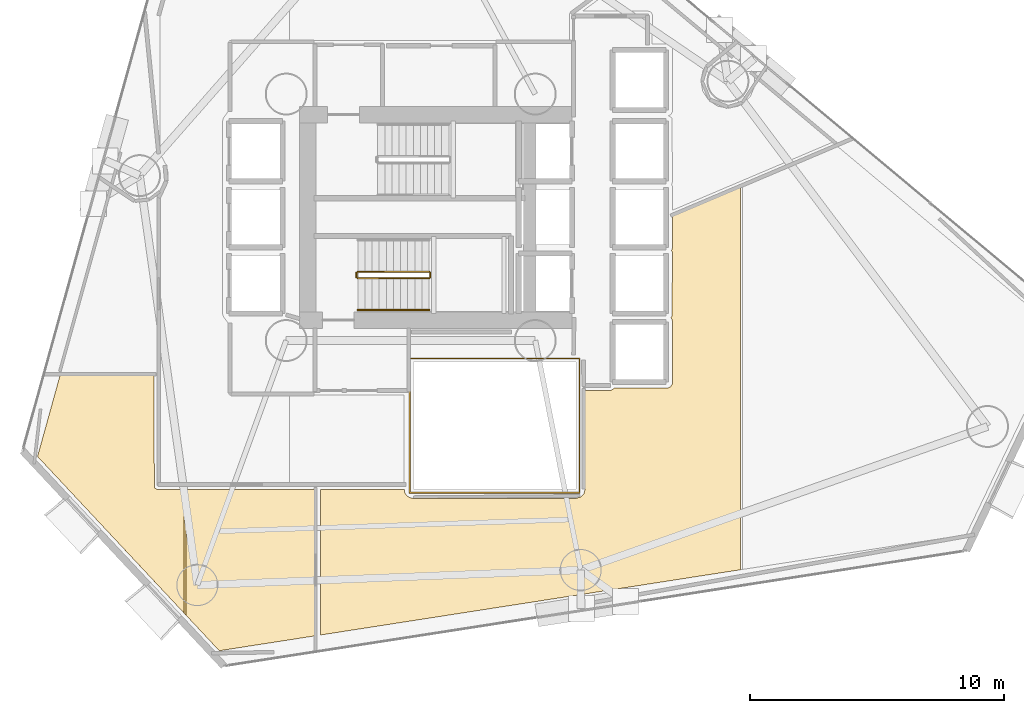
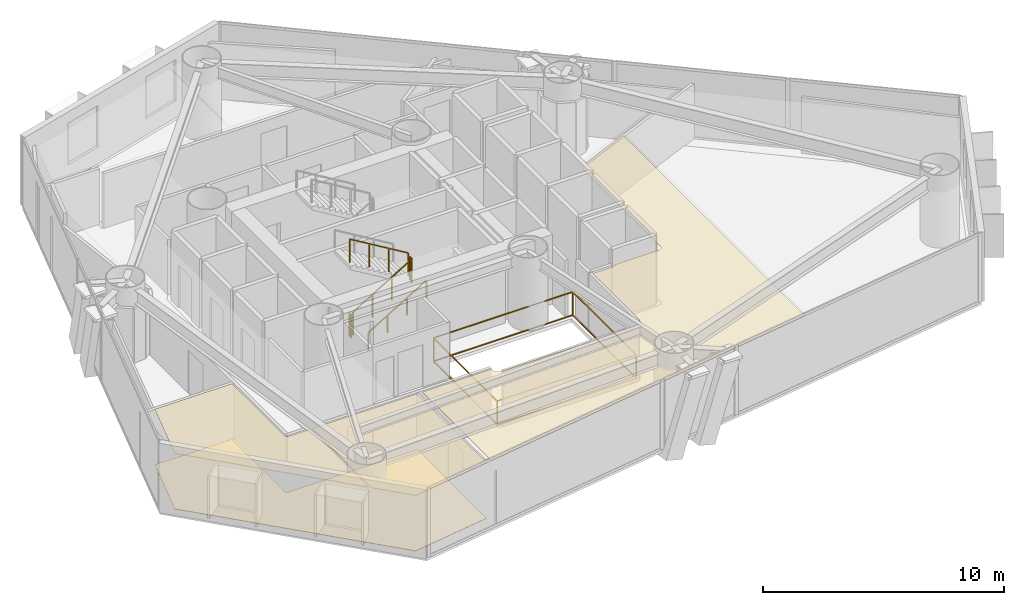
# One storey, part 20 of 23: 6 railings, 4 coverings.
"""IFC4 building model written with IfcOpenShell, lengths in metres."""

from ifc_helpers import new_model, si_unit, direction, frame, origin, origin_2d, place, context, subcontext, project, spatial, polyline, rectangle, outline, extrude, material, layer, layer_set, type_object, element, save


model = new_model("IFC4")

# Units and contexts
model_context = context("Model", 3, precision=1e-05, world=origin(), true_north=direction((0.0, 1.0)))
body_context = subcontext(model_context, "Body", "Model", "MODEL_VIEW")
ifc_project = project(units=[si_unit("LENGTHUNIT", "METRE"), si_unit("AREAUNIT", "SQUARE_METRE"), si_unit("VOLUMEUNIT", "CUBIC_METRE"), si_unit("PLANEANGLEUNIT", "RADIAN"), si_unit("MASSUNIT", "GRAM", prefix="KILO")], contexts=[model_context])

# Site, building, storey
site_placement = place(None, origin())
site = spatial("IfcSite", under=ifc_project, at=site_placement, CompositionType="ELEMENT")
building_placement = place(site_placement, origin())
building = spatial("IfcBuilding", under=site, at=building_placement, Name="Qianvela Tower", CompositionType="ELEMENT")
storey_placement = place(building_placement, frame((0.0, 0.0, 78.39990234375)))
storey = spatial("IfcBuildingStorey", under=building, at=storey_placement, Name="L19", CompositionType="ELEMENT", Elevation=78.39990234375)

# Coverings
ifc_material_1 = material(Name="Perforated Mineral Acoustic Ceiling Tile")
ifc_layer_1 = layer(ifc_material_1, 0.02490234375)
ifc_layer_set_1 = layer_set([ifc_layer_1], Name="Perforated Mineral Acoustic Ceiling Tile")
covering_type_1 = type_object("IfcCoveringType", Name="COV-CEIL-ACOUSTIC-25", PredefinedType="CEILING", material=ifc_layer_set_1)
covering_1_placement = place(storey_placement, frame((0.0, 0.0, 2.815185546875)))
element("IfcCovering", 1, at=covering_1_placement, inside=storey, type_object=covering_type_1, Name="L19 Acoustic Ceiling Bay 1 Project Huddle Conference L19-01", PredefinedType="CEILING", context=body_context, shape_type="SweptSolid", body=[
    extrude(outline(polyline([(23.52392578125, 17.994384765625), (23.532470703125, 17.991943359375), (23.541259765625, 17.990478515625), (23.550048828125, 17.989990234375), (24.57861328125, 17.989990234375), (24.57861328125, 13.12451171875), (18.8134765625, 19.28662109375), (19.69921875, 22.475341796875), (23.401123046875, 22.475341796875), (23.408203125, 18.09912109375), (23.40869140625, 18.0908203125), (23.409912109375, 18.082763671875), (23.411865234375, 18.074951171875), (23.414794921875, 18.067138671875), (23.41845703125, 18.059814453125), (23.4228515625, 18.052978515625), (23.427978515625, 18.046630859375), (23.43359375, 18.040771484375), (23.43994140625, 18.035400390625), (23.44677734375, 18.03076171875), (23.4541015625, 18.02685546875), (23.515869140625, 17.997802734375), (23.52392578125, 17.994384765625)])), origin(), (0.0, 0.0, 1.0), 0.02490234375),
])
covering_2_placement = place(storey_placement, frame((0.0, 0.0, 2.815185546875)))
element("IfcCovering", 2, at=covering_2_placement, inside=storey, type_object=covering_type_1, Name="L19 Acoustic Ceiling Bay 2 Project Huddle Conference L19-01", PredefinedType="CEILING", context=body_context, shape_type="SweptSolid", body=[
    extrude(outline(polyline([(29.704833984375, 17.989990234375), (29.704833984375, 12.222900390625), (25.965576171875, 11.641845703125), (24.65869140625, 13.038818359375), (24.65869140625, 17.989990234375), (29.704833984375, 17.989990234375)])), origin(), (0.0, 0.0, 1.0), 0.02490234375),
])
covering_3_placement = place(storey_placement, frame((0.0, 0.0, 2.815185546875)))
element("IfcCovering", 3, at=covering_3_placement, inside=storey, type_object=covering_type_1, Name="L19 Acoustic Ceiling Bay 1 Debate Lecture Classroom L19-02", PredefinedType="CEILING", context=body_context, shape_type="SweptSolid", body=[
    extrude(outline(polyline([(33.252197265625, 17.912353515625), (33.25341796875, 17.904296875), (33.25537109375, 17.896240234375), (33.258056640625, 17.888427734375), (33.261474609375, 17.881103515625), (33.31298828125, 17.78466796875), (33.31689453125, 17.77783203125), (33.32177734375, 17.771484375), (33.326904296875, 17.765869140625), (33.332763671875, 17.760498046875), (33.417236328125, 17.691162109375), (33.42431640625, 17.68603515625), (33.431884765625, 17.681640625), (33.440185546875, 17.677978515625), (33.448486328125, 17.675537109375), (33.58056640625, 17.642333984375), (33.5869140625, 17.64111328125), (33.593505859375, 17.640380859375), (33.60009765625, 17.639892578125), (40.0, 17.639892578125), (40.0078125, 17.640380859375), (40.015625, 17.6416015625), (40.023193359375, 17.643310546875), (40.1787109375, 17.690673828125), (40.185546875, 17.693115234375), (40.192138671875, 17.696044921875), (40.198486328125, 17.69970703125), (40.204345703125, 17.70361328125), (40.209716796875, 17.70849609375), (40.21484375, 17.71337890625), (40.30615234375, 17.814208984375), (40.311279296875, 17.8203125), (40.315673828125, 17.826904296875), (40.3193359375, 17.833740234375), (40.322265625, 17.841064453125), (40.324462890625, 17.8486328125), (40.357666015625, 17.980712890625), (40.35888671875, 17.987060546875), (40.359619140625, 17.993408203125), (40.360107421875, 18.0), (40.360107421875, 21.889892578125), (41.367919921875, 21.890380859375), (41.375732421875, 21.890869140625), (41.383544921875, 21.891845703125), (41.39111328125, 21.893798828125), (41.3984375, 21.896484375), (41.405517578125, 21.89990234375), (41.45947265625, 21.9287109375), (41.46630859375, 21.932861328125), (41.472900390625, 21.9375), (41.478759765625, 21.943115234375), (41.48388671875, 21.948974609375), (41.48876953125, 21.955322265625), (41.492919921875, 21.96240234375), (41.49609375, 21.969482421875), (41.498779296875, 21.97705078125), (41.49951171875, 21.97998046875), (43.59375, 21.980712890625), (43.6015625, 21.981201171875), (43.609375, 21.982177734375), (43.616943359375, 21.984130859375), (43.624267578125, 21.98681640625), (43.699462890625, 22.017822265625), (43.70654296875, 22.021240234375), (43.71337890625, 22.025390625), (43.719482421875, 22.02978515625), (43.725341796875, 22.03515625), (43.730712890625, 22.041015625), (43.7353515625, 22.04736328125), (43.780517578125, 22.114990234375), (43.784423828125, 22.12158203125), (43.787841796875, 22.128662109375), (43.79052734375, 22.135986328125), (43.79248046875, 22.1435546875), (43.793701171875, 22.1513671875), (43.7939453125, 22.1591796875), (43.800048828125, 24.599853515625), (43.7998046875, 24.606689453125), (43.798828125, 24.613525390625), (43.79736328125, 24.620361328125), (43.79541015625, 24.626953125), (43.763427734375, 24.7158203125), (43.760498046875, 24.722900390625), (43.7568359375, 24.72998046875), (43.75244140625, 24.736572265625), (43.74755859375, 24.742431640625), (43.741943359375, 24.748046875), (43.73583984375, 24.753173828125), (43.730224609375, 24.7568359375), (43.74462890625, 24.765380859375), (43.75146484375, 24.77001953125), (43.7578125, 24.775146484375), (43.763427734375, 24.781005859375), (43.7685546875, 24.787353515625), (43.77294921875, 24.794189453125), (43.776611328125, 24.8017578125), (43.779541015625, 24.809326171875), (43.78173828125, 24.817138671875), (43.782958984375, 24.8251953125), (43.783447265625, 24.83349609375), (43.800048828125, 27.299560546875), (43.799560546875, 27.3076171875), (43.798583984375, 27.315673828125), (43.79638671875, 27.323486328125), (43.793701171875, 27.3310546875), (43.7646484375, 27.39990234375), (43.793701171875, 27.468994140625), (43.79638671875, 27.476318359375), (43.79833984375, 27.484130859375), (43.799560546875, 27.491943359375), (43.800048828125, 27.5), (43.800048828125, 28.7373046875), (46.473876953125, 29.872314453125), (46.473876953125, 14.828857421875), (29.94873046875, 12.260986328125), (29.94873046875, 17.989990234375), (33.24609375, 17.989990234375), (33.252197265625, 17.912353515625)])), origin(), (0.0, 0.0, 1.0), 0.02490234375),
])
ifc_material_2 = material(Name="Engineered Acoustic Oak Timber Flooring", Category="wood")
ifc_layer_2 = layer(ifc_material_2, 0.02001953125)
ifc_layer_set_2 = layer_set([ifc_layer_2], Name="Engineered Acoustic Oak Timber Flooring")
covering_type_2 = type_object("IfcCoveringType", Name="COV-FLOOR-OAK-20", PredefinedType="FLOORING", material=ifc_layer_set_2)
covering_4_placement = place(storey_placement, origin())
element("IfcCovering", 4, at=covering_4_placement, inside=storey, type_object=covering_type_2, Name="L19 Finish Flooring Project Huddle Conference L19-01", PredefinedType="FLOORING", context=body_context, shape_type="SweptSolid", body=[
    extrude(outline(polyline([(23.515869140625, 17.997802734375), (23.52392578125, 17.994384765625), (23.532470703125, 17.991943359375), (23.541259765625, 17.990478515625), (23.550048828125, 17.989990234375), (29.704833984375, 17.989990234375), (29.704833984375, 12.222900390625), (25.965576171875, 11.641845703125), (18.8134765625, 19.28662109375), (19.69921875, 22.475341796875), (23.401123046875, 22.475341796875), (23.408203125, 18.09912109375), (23.40869140625, 18.0908203125), (23.409912109375, 18.082763671875), (23.411865234375, 18.074951171875), (23.414794921875, 18.067138671875), (23.41845703125, 18.059814453125), (23.4228515625, 18.052978515625), (23.427978515625, 18.046630859375), (23.43359375, 18.040771484375), (23.43994140625, 18.035400390625), (23.44677734375, 18.03076171875), (23.4541015625, 18.02685546875), (23.515869140625, 17.997802734375)])), origin(), (0.0, 0.0, 1.0), 0.02001953125),
])

# Railings
ifc_material_3 = material(Name="Laminated Safety Glass and Stainless Steel 316", Category="steel")
railing_type_1 = type_object("IfcRailingType", Name="RL-ATRIUM-GUARD-1250", PredefinedType="GUARDRAIL", material=ifc_material_3)
railing_1_placement = place(storey_placement, frame((33.4599609375, 17.860107421875, 0.0)))
element("IfcRailing", 5, at=railing_1_placement, inside=storey, type_object=railing_type_1, Name="L19 Atrium Edge Guardrail 1", PredefinedType="GUARDRAIL", context=body_context, shape_type="SweptSolid", body=[
    extrude(rectangle(XDim=0.050048828125, YDim=0.0400390625, at=origin_2d()), frame((0.0, 0.0, 1.22998046875), z_axis=(0.0, 1.0, 0.0), x_axis=(-1.0, 0.0, 0.0)), (0.0, 0.0, 1.0), 5.27978515625),
    extrude(rectangle(XDim=0.050048828125, YDim=0.0400390625, at=origin_2d()), frame((0.0, 0.0, 0.050048828125), z_axis=(0.0, 1.0, 0.0), x_axis=(-1.0, 0.0, 0.0)), (0.0, 0.0, 1.0), 5.27978515625),
    extrude(rectangle(XDim=0.050048828125, YDim=0.0400390625, at=origin_2d()), frame((0.0, 5.27978515625, 1.22998046875), z_axis=(1.0, 0.0, 0.0), x_axis=(0.0, 1.0, 0.0)), (0.0, 0.0, 1.0), 6.679931640625),
    extrude(rectangle(XDim=0.050048828125, YDim=0.0400390625, at=origin_2d()), frame((0.0, 5.27978515625, 0.050048828125), z_axis=(1.0, 0.0, 0.0), x_axis=(0.0, 1.0, 0.0)), (0.0, 0.0, 1.0), 6.679931640625),
    extrude(rectangle(XDim=0.050048828125, YDim=0.0400390625, at=origin_2d()), frame((6.679931640625, 5.27978515625, 1.22998046875), z_axis=(0.0, -1.0, 0.0), x_axis=(1.0, 0.0, 0.0)), (0.0, 0.0, 1.0), 5.27978515625),
    extrude(rectangle(XDim=0.050048828125, YDim=0.0400390625, at=origin_2d()), frame((6.679931640625, 5.27978515625, 0.050048828125), z_axis=(0.0, -1.0, 0.0), x_axis=(1.0, 0.0, 0.0)), (0.0, 0.0, 1.0), 5.27978515625),
    extrude(rectangle(XDim=0.050048828125, YDim=0.0400390625, at=origin_2d()), frame((6.679931640625, 0.0, 1.22998046875), z_axis=(-1.0, 0.0, 0.0), x_axis=(0.0, -1.0, 0.0)), (0.0, 0.0, 1.0), 6.679931640625),
    extrude(rectangle(XDim=0.050048828125, YDim=0.0400390625, at=origin_2d()), frame((6.679931640625, 0.0, 0.050048828125), z_axis=(-1.0, 0.0, 0.0), x_axis=(0.0, -1.0, 0.0)), (0.0, 0.0, 1.0), 6.679931640625),
    extrude(rectangle(XDim=0.050048828125, YDim=0.050048828125, at=origin_2d()), origin(), (0.0, 0.0, 1.0), 1.2099609375),
    extrude(rectangle(XDim=0.050048828125, YDim=0.050048828125, at=origin_2d()), frame((0.0, 5.27978515625, 0.0)), (0.0, 0.0, 1.0), 1.2099609375),
    extrude(rectangle(XDim=0.050048828125, YDim=0.050048828125, at=origin_2d()), frame((6.679931640625, 5.27978515625, 0.0)), (0.0, 0.0, 1.0), 1.2099609375),
    extrude(rectangle(XDim=0.050048828125, YDim=0.050048828125, at=origin_2d()), frame((6.679931640625, 0.0, 0.0)), (0.0, 0.0, 1.0), 1.2099609375),
])
ifc_material_4 = material(Name="Painted Tubular Steel Q355B", Category="steel")
railing_type_2 = type_object("IfcRailingType", Name="RL-STAIR-GUARD-1200", PredefinedType="GUARDRAIL", material=ifc_material_4)
railing_2_placement = place(storey_placement, frame((31.419921875, 26.300048828125, 0.168212890625)))
element("IfcRailing", 6, at=railing_2_placement, inside=storey, type_object=railing_type_2, Name="L19 ST-2 stair guard 1", PredefinedType="GUARDRAIL", context=body_context, shape_type="SweptSolid", body=[
    extrude(rectangle(XDim=0.050048828125, YDim=0.0400390625, at=origin_2d()), frame((0.0, 0.0, 1.179931640625), z_axis=(0.857242210791, 0.0, 0.514913383045), x_axis=(0.0, 1.0, 0.0)), (0.0, 0.0, 1.0), 3.266357421875),
    extrude(rectangle(XDim=0.050048828125, YDim=0.050048828125, at=origin_2d()), origin(), (0.0, 0.0, 1.0), 1.159912109375),
    extrude(rectangle(XDim=0.050048828125, YDim=0.050048828125, at=origin_2d()), frame((0.933349609375, 0.0, 0.560546875)), (0.0, 0.0, 1.0), 1.159912109375),
    extrude(rectangle(XDim=0.050048828125, YDim=0.050048828125, at=origin_2d()), frame((1.86669921875, 0.0, 1.121337890625)), (0.0, 0.0, 1.0), 1.159912109375),
    extrude(rectangle(XDim=0.050048828125, YDim=0.050048828125, at=origin_2d()), frame((2.800048828125, 0.0, 1.681884765625)), (0.0, 0.0, 1.0), 1.159912109375),
])
railing_3_placement = place(storey_placement, frame((34.27001953125, 26.35009765625, 1.85009765625)))
element("IfcRailing", 7, at=railing_3_placement, inside=storey, type_object=railing_type_2, Name="L19 ST-2 stair guard 2", PredefinedType="GUARDRAIL", context=body_context, shape_type="SweptSolid", body=[
    extrude(rectangle(XDim=0.050048828125, YDim=0.0400390625, at=origin_2d()), frame((0.0, 0.0, 1.179931640625), z_axis=(0.0, 1.0, 0.0), x_axis=(-1.0, 0.0, 0.0)), (0.0, 0.0, 1.0), 0.159912109375),
    extrude(rectangle(XDim=0.050048828125, YDim=0.050048828125, at=origin_2d()), origin(), (0.0, 0.0, 1.0), 1.159912109375),
    extrude(rectangle(XDim=0.050048828125, YDim=0.050048828125, at=origin_2d()), frame((0.0, 0.159912109375, 0.0)), (0.0, 0.0, 1.0), 1.159912109375),
])
railing_4_placement = place(storey_placement, frame((34.219970703125, 26.56005859375, 2.018310546875)))
element("IfcRailing", 8, at=railing_4_placement, inside=storey, type_object=railing_type_2, Name="L19 ST-2 stair guard 3", PredefinedType="GUARDRAIL", context=body_context, shape_type="SweptSolid", body=[
    extrude(rectangle(XDim=0.050048828125, YDim=0.0400390625, at=origin_2d()), frame((0.0, 0.0, 1.179931640625), z_axis=(-0.857242210791, 0.0, 0.514913383045), x_axis=(0.0, -1.0, 0.0)), (0.0, 0.0, 1.0), 3.266357421875),
    extrude(rectangle(XDim=0.050048828125, YDim=0.050048828125, at=origin_2d()), origin(), (0.0, 0.0, 1.0), 1.159912109375),
    extrude(rectangle(XDim=0.050048828125, YDim=0.050048828125, at=origin_2d()), frame((-0.933349609375, 0.0, 0.560546875)), (0.0, 0.0, 1.0), 1.159912109375),
    extrude(rectangle(XDim=0.050048828125, YDim=0.050048828125, at=origin_2d()), frame((-1.86669921875, 0.0, 1.121337890625)), (0.0, 0.0, 1.0), 1.159912109375),
    extrude(rectangle(XDim=0.050048828125, YDim=0.050048828125, at=origin_2d()), frame((-2.800048828125, 0.0, 1.681884765625)), (0.0, 0.0, 1.0), 1.159912109375),
])
railing_5_placement = place(storey_placement, frame((31.3701171875, 26.35009765625, 0.0)))
element("IfcRailing", 9, at=railing_5_placement, inside=storey, type_object=railing_type_2, Name="L19 ST-2 stair guard 4", PredefinedType="GUARDRAIL", context=body_context, shape_type="SweptSolid", body=[
    extrude(rectangle(XDim=0.050048828125, YDim=0.0400390625, at=origin_2d()), frame((0.0, 0.0, 1.179931640625), z_axis=(0.0, 1.0, 0.0), x_axis=(-1.0, 0.0, 0.0)), (0.0, 0.0, 1.0), 0.159912109375),
    extrude(rectangle(XDim=0.050048828125, YDim=0.050048828125, at=origin_2d()), origin(), (0.0, 0.0, 1.0), 1.159912109375),
    extrude(rectangle(XDim=0.050048828125, YDim=0.050048828125, at=origin_2d()), frame((0.0, 0.159912109375, 0.0)), (0.0, 0.0, 1.0), 1.159912109375),
])
ifc_material_5 = material(Name="Brushed Stainless Steel 304", Category="steel")
railing_type_3 = type_object("IfcRailingType", Name="RL-STAIR-HANDRAIL-900", PredefinedType="HANDRAIL", material=ifc_material_5)
railing_6_placement = place(storey_placement, frame((31.419921875, 25.050048828125, 0.168212890625)))
element("IfcRailing", 10, at=railing_6_placement, inside=storey, type_object=railing_type_3, Name="L19 ST-2 stair handrail 1", PredefinedType="HANDRAIL", context=body_context, shape_type="SweptSolid", body=[
    extrude(rectangle(XDim=0.050048828125, YDim=0.0400390625, at=origin_2d()), frame((0.0, 0.0, 0.8798828125), z_axis=(0.857242210791, 0.0, 0.514913383045), x_axis=(0.0, 1.0, 0.0)), (0.0, 0.0, 1.0), 3.266357421875),
    extrude(rectangle(XDim=0.050048828125, YDim=0.050048828125, at=origin_2d()), origin(), (0.0, 0.0, 1.0), 0.85986328125),
    extrude(rectangle(XDim=0.050048828125, YDim=0.050048828125, at=origin_2d()), frame((0.933349609375, 0.0, 0.560546875)), (0.0, 0.0, 1.0), 0.85986328125),
    extrude(rectangle(XDim=0.050048828125, YDim=0.050048828125, at=origin_2d()), frame((1.86669921875, 0.0, 1.121337890625)), (0.0, 0.0, 1.0), 0.85986328125),
    extrude(rectangle(XDim=0.050048828125, YDim=0.050048828125, at=origin_2d()), frame((2.800048828125, 0.0, 1.681884765625)), (0.0, 0.0, 1.0), 0.85986328125),
])

save(model, "model.ifc")
